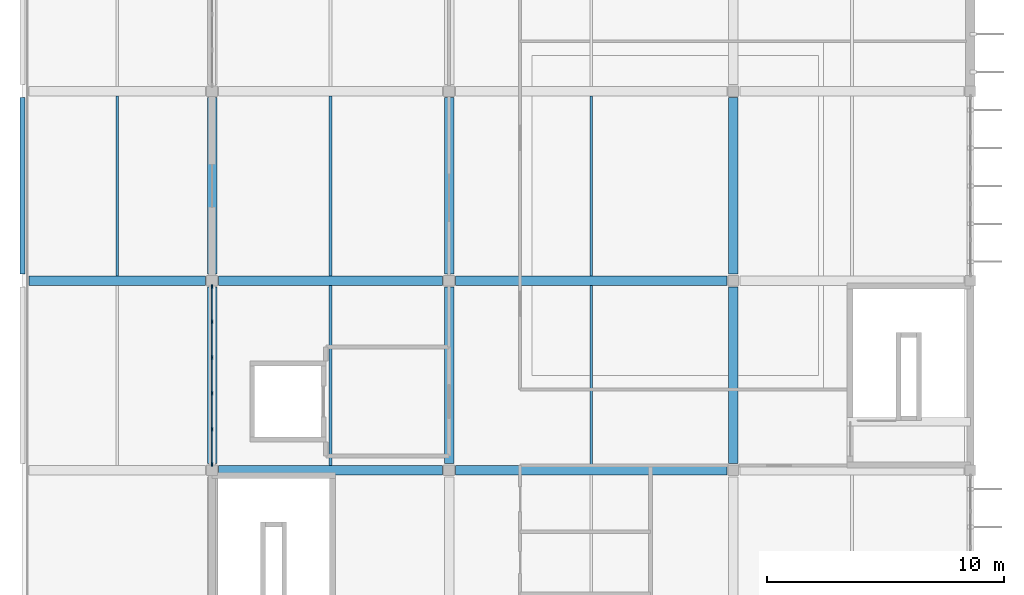
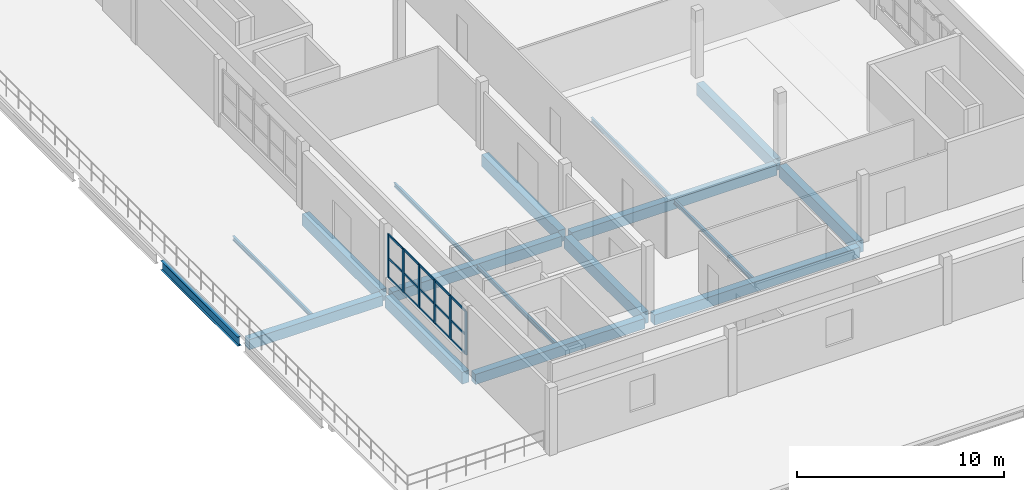
# One storey, part 2 of 12: 21 members, 17 beams, 1 element without a shape of its own.
"""IFC4 building model written with IfcOpenShell, lengths in metres."""

from ifc_helpers import new_model, si_unit, direction, frame, origin, origin_2d, place, context, subcontext, project, spatial, rectangle, i_section, extrude, material, layer, layer_set, material_profile, profile_set, type_object, element, aggregate, save


model = new_model("IFC4")

# Units and contexts
model_context = context("Model", 3, precision=1e-05, world=origin(), true_north=direction((0.0, 1.0)))
body_context = subcontext(model_context, "Body", "Model", "MODEL_VIEW")
ifc_project = project(units=[si_unit("LENGTHUNIT", "METRE"), si_unit("AREAUNIT", "SQUARE_METRE"), si_unit("VOLUMEUNIT", "CUBIC_METRE"), si_unit("PLANEANGLEUNIT", "RADIAN"), si_unit("MASSUNIT", "GRAM", prefix="KILO")], contexts=[model_context])

# Site, building, storey
site_placement = place(None, origin())
site = spatial("IfcSite", under=ifc_project, at=site_placement, CompositionType="ELEMENT")
building_placement = place(site_placement, origin())
building = spatial("IfcBuilding", under=site, at=building_placement, Name="Drelvana Railside Aquatics Centre", CompositionType="ELEMENT")
storey_placement = place(building_placement, frame((0.0, 0.0, 18.60009765625)))
storey = spatial("IfcBuildingStorey", under=building, at=storey_placement, Name="L04", CompositionType="ELEMENT", Elevation=18.60009765625)

# Curtain wall, members
ifc_material_1 = material(Name="Bronze-anodised aluminium curtain wall", Category="aluminium")
ifc_layer = layer(ifc_material_1, 0.175048828125, Name="Bronze-anodised aluminium curtain wall")
ifc_layer_set = layer_set([ifc_layer], Name="Bronze-anodised aluminium curtain wall")
curtain_wall_type = type_object("IfcCurtainWallType", Name="CW-Z6-WING", PredefinedType="NOTDEFINED", material=ifc_layer_set)
curtain_wall_placement = place(storey_placement, origin())
curtain_wall = element("IfcCurtainWall", 1, at=curtain_wall_placement, inside=storey, type_object=curtain_wall_type, Name="Curtain wall CW-06-163", PredefinedType="NOTDEFINED")
ifc_material_2 = material(Name="Bronze-anodised aluminium 6063-T6", Category="aluminium")
ifc_material_profile_1 = material_profile(ifc_material_2, rectangle(XDim=0.06494140625, YDim=0.175048828125, at=origin_2d()), Name="ALU-M 65x175")
ifc_profile_set_1 = profile_set([ifc_material_profile_1], Name="Bronze-anodised aluminium 6063-T6")
member_type_1 = type_object("IfcMemberType", Name="CW-Z6-WING-MUL", PredefinedType="MULLION", material=ifc_profile_set_1)
member_1_placement = place(storey_placement, frame((152.0, 32.25146484375, 0.7939453125), z_axis=(0.0, 0.0, 1.0), x_axis=(-1.0, 0.0, 0.0)))
member_1 = element("IfcMember", 2, at=member_1_placement, type_object=member_type_1, Name="CW-06 mullion 1", PredefinedType="MULLION", context=body_context, shape_type="SweptSolid", body=[
    extrude(rectangle(XDim=0.06494140625, YDim=0.175048828125, at=origin_2d()), origin(), (0.0, 0.0, 1.0), 2.571044921875),
])
member_2_placement = place(storey_placement, frame((152.0, 33.7314453125, 0.7939453125), z_axis=(0.0, 0.0, 1.0), x_axis=(-1.0, 0.0, 0.0)))
member_2 = element("IfcMember", 3, at=member_2_placement, type_object=member_type_1, Name="CW-06 mullion 2", PredefinedType="MULLION", context=body_context, shape_type="SweptSolid", body=[
    extrude(rectangle(XDim=0.06494140625, YDim=0.175048828125, at=origin_2d()), origin(), (0.0, 0.0, 1.0), 2.571044921875),
])
member_3_placement = place(storey_placement, frame((152.0, 35.243896484375, 0.7939453125), z_axis=(0.0, 0.0, 1.0), x_axis=(-1.0, 0.0, 0.0)))
member_3 = element("IfcMember", 4, at=member_3_placement, type_object=member_type_1, Name="CW-06 mullion 3", PredefinedType="MULLION", context=body_context, shape_type="SweptSolid", body=[
    extrude(rectangle(XDim=0.06494140625, YDim=0.175048828125, at=origin_2d()), origin(), (0.0, 0.0, 1.0), 2.571044921875),
])
member_4_placement = place(storey_placement, frame((152.0, 36.756103515625, 0.7939453125), z_axis=(0.0, 0.0, 1.0), x_axis=(-1.0, 0.0, 0.0)))
member_4 = element("IfcMember", 5, at=member_4_placement, type_object=member_type_1, Name="CW-06 mullion 4", PredefinedType="MULLION", context=body_context, shape_type="SweptSolid", body=[
    extrude(rectangle(XDim=0.06494140625, YDim=0.175048828125, at=origin_2d()), origin(), (0.0, 0.0, 1.0), 2.571044921875),
])
member_5_placement = place(storey_placement, frame((152.0, 38.2685546875, 0.7939453125), z_axis=(0.0, 0.0, 1.0), x_axis=(-1.0, 0.0, 0.0)))
member_5 = element("IfcMember", 6, at=member_5_placement, type_object=member_type_1, Name="CW-06 mullion 5", PredefinedType="MULLION", context=body_context, shape_type="SweptSolid", body=[
    extrude(rectangle(XDim=0.06494140625, YDim=0.175048828125, at=origin_2d()), origin(), (0.0, 0.0, 1.0), 2.571044921875),
])
member_6_placement = place(storey_placement, frame((152.0, 39.74853515625, 0.7939453125), z_axis=(0.0, 0.0, 1.0), x_axis=(-1.0, 0.0, 0.0)))
member_6 = element("IfcMember", 7, at=member_6_placement, type_object=member_type_1, Name="CW-06 mullion 6", PredefinedType="MULLION", context=body_context, shape_type="SweptSolid", body=[
    extrude(rectangle(XDim=0.06494140625, YDim=0.175048828125, at=origin_2d()), origin(), (0.0, 0.0, 1.0), 2.571044921875),
])
ifc_material_profile_2 = material_profile(ifc_material_2, rectangle(XDim=0.1201171875, YDim=0.06005859375, at=origin_2d()), Name="ALU-T 60x120")
ifc_profile_set_2 = profile_set([ifc_material_profile_2], Name="Bronze-anodised aluminium 6063-T6")
member_type_2 = type_object("IfcMemberType", Name="CW-Z6-WING-TRN", PredefinedType="USERDEFINED", material=ifc_profile_set_2)
member_7_placement = place(storey_placement, frame((152.0, 32.279052734375, 0.823974609375), z_axis=(0.0, 1.0, 0.0), x_axis=(0.0, 0.0, 1.0)))
member_7 = element("IfcMember", 8, at=member_7_placement, type_object=member_type_2, Name="CW-06 transom 1.1", ObjectType="TRANSOM", PredefinedType="USERDEFINED", context=body_context, shape_type="SweptSolid", body=[
    extrude(rectangle(XDim=0.1201171875, YDim=0.06005859375, at=origin_2d()), origin(), (0.0, 0.0, 1.0), 1.4248046875),
])
member_8_placement = place(storey_placement, frame((152.0, 32.279052734375, 1.950927734375), z_axis=(0.0, 1.0, 0.0), x_axis=(0.0, 0.0, 1.0)))
member_8 = element("IfcMember", 9, at=member_8_placement, type_object=member_type_2, Name="CW-06 transom 1.2", ObjectType="TRANSOM", PredefinedType="USERDEFINED", context=body_context, shape_type="SweptSolid", body=[
    extrude(rectangle(XDim=0.1201171875, YDim=0.06005859375, at=origin_2d()), origin(), (0.0, 0.0, 1.0), 1.4248046875),
])
member_9_placement = place(storey_placement, frame((152.0, 32.279052734375, 3.3349609375), z_axis=(0.0, 1.0, 0.0), x_axis=(0.0, 0.0, 1.0)))
member_9 = element("IfcMember", 10, at=member_9_placement, type_object=member_type_2, Name="CW-06 transom 1.3", ObjectType="TRANSOM", PredefinedType="USERDEFINED", context=body_context, shape_type="SweptSolid", body=[
    extrude(rectangle(XDim=0.1201171875, YDim=0.06005859375, at=origin_2d()), origin(), (0.0, 0.0, 1.0), 1.4248046875),
])
member_10_placement = place(storey_placement, frame((152.0, 33.7587890625, 0.823974609375), z_axis=(0.0, 1.0, 0.0), x_axis=(0.0, 0.0, 1.0)))
member_10 = element("IfcMember", 11, at=member_10_placement, type_object=member_type_2, Name="CW-06 transom 2.1", ObjectType="TRANSOM", PredefinedType="USERDEFINED", context=body_context, shape_type="SweptSolid", body=[
    extrude(rectangle(XDim=0.1201171875, YDim=0.06005859375, at=origin_2d()), origin(), (0.0, 0.0, 1.0), 1.45751953125),
])
member_11_placement = place(storey_placement, frame((152.0, 33.7587890625, 1.950927734375), z_axis=(0.0, 1.0, 0.0), x_axis=(0.0, 0.0, 1.0)))
member_11 = element("IfcMember", 12, at=member_11_placement, type_object=member_type_2, Name="CW-06 transom 2.2", ObjectType="TRANSOM", PredefinedType="USERDEFINED", context=body_context, shape_type="SweptSolid", body=[
    extrude(rectangle(XDim=0.1201171875, YDim=0.06005859375, at=origin_2d()), origin(), (0.0, 0.0, 1.0), 1.45751953125),
])
member_12_placement = place(storey_placement, frame((152.0, 33.7587890625, 3.3349609375), z_axis=(0.0, 1.0, 0.0), x_axis=(0.0, 0.0, 1.0)))
member_12 = element("IfcMember", 13, at=member_12_placement, type_object=member_type_2, Name="CW-06 transom 2.3", ObjectType="TRANSOM", PredefinedType="USERDEFINED", context=body_context, shape_type="SweptSolid", body=[
    extrude(rectangle(XDim=0.1201171875, YDim=0.06005859375, at=origin_2d()), origin(), (0.0, 0.0, 1.0), 1.45751953125),
])
member_13_placement = place(storey_placement, frame((152.0, 35.271240234375, 0.823974609375), z_axis=(0.0, 1.0, 0.0), x_axis=(0.0, 0.0, 1.0)))
member_13 = element("IfcMember", 14, at=member_13_placement, type_object=member_type_2, Name="CW-06 transom 3.1", ObjectType="TRANSOM", PredefinedType="USERDEFINED", context=body_context, shape_type="SweptSolid", body=[
    extrude(rectangle(XDim=0.1201171875, YDim=0.06005859375, at=origin_2d()), origin(), (0.0, 0.0, 1.0), 1.45751953125),
])
member_14_placement = place(storey_placement, frame((152.0, 35.271240234375, 1.950927734375), z_axis=(0.0, 1.0, 0.0), x_axis=(0.0, 0.0, 1.0)))
member_14 = element("IfcMember", 15, at=member_14_placement, type_object=member_type_2, Name="CW-06 transom 3.2", ObjectType="TRANSOM", PredefinedType="USERDEFINED", context=body_context, shape_type="SweptSolid", body=[
    extrude(rectangle(XDim=0.1201171875, YDim=0.06005859375, at=origin_2d()), origin(), (0.0, 0.0, 1.0), 1.45751953125),
])
member_15_placement = place(storey_placement, frame((152.0, 35.271240234375, 3.3349609375), z_axis=(0.0, 1.0, 0.0), x_axis=(0.0, 0.0, 1.0)))
member_15 = element("IfcMember", 16, at=member_15_placement, type_object=member_type_2, Name="CW-06 transom 3.3", ObjectType="TRANSOM", PredefinedType="USERDEFINED", context=body_context, shape_type="SweptSolid", body=[
    extrude(rectangle(XDim=0.1201171875, YDim=0.06005859375, at=origin_2d()), origin(), (0.0, 0.0, 1.0), 1.45751953125),
])
member_16_placement = place(storey_placement, frame((152.0, 36.78369140625, 0.823974609375), z_axis=(0.0, 1.0, 0.0), x_axis=(0.0, 0.0, 1.0)))
member_16 = element("IfcMember", 17, at=member_16_placement, type_object=member_type_2, Name="CW-06 transom 4.1", ObjectType="TRANSOM", PredefinedType="USERDEFINED", context=body_context, shape_type="SweptSolid", body=[
    extrude(rectangle(XDim=0.1201171875, YDim=0.06005859375, at=origin_2d()), origin(), (0.0, 0.0, 1.0), 1.45751953125),
])
member_17_placement = place(storey_placement, frame((152.0, 36.78369140625, 1.950927734375), z_axis=(0.0, 1.0, 0.0), x_axis=(0.0, 0.0, 1.0)))
member_17 = element("IfcMember", 18, at=member_17_placement, type_object=member_type_2, Name="CW-06 transom 4.2", ObjectType="TRANSOM", PredefinedType="USERDEFINED", context=body_context, shape_type="SweptSolid", body=[
    extrude(rectangle(XDim=0.1201171875, YDim=0.06005859375, at=origin_2d()), origin(), (0.0, 0.0, 1.0), 1.45751953125),
])
member_18_placement = place(storey_placement, frame((152.0, 36.78369140625, 3.3349609375), z_axis=(0.0, 1.0, 0.0), x_axis=(0.0, 0.0, 1.0)))
member_18 = element("IfcMember", 19, at=member_18_placement, type_object=member_type_2, Name="CW-06 transom 4.3", ObjectType="TRANSOM", PredefinedType="USERDEFINED", context=body_context, shape_type="SweptSolid", body=[
    extrude(rectangle(XDim=0.1201171875, YDim=0.06005859375, at=origin_2d()), origin(), (0.0, 0.0, 1.0), 1.45751953125),
])
member_19_placement = place(storey_placement, frame((152.0, 38.296142578125, 0.823974609375), z_axis=(0.0, 1.0, 0.0), x_axis=(0.0, 0.0, 1.0)))
member_19 = element("IfcMember", 20, at=member_19_placement, type_object=member_type_2, Name="CW-06 transom 5.1", ObjectType="TRANSOM", PredefinedType="USERDEFINED", context=body_context, shape_type="SweptSolid", body=[
    extrude(rectangle(XDim=0.1201171875, YDim=0.06005859375, at=origin_2d()), origin(), (0.0, 0.0, 1.0), 1.4248046875),
])
member_20_placement = place(storey_placement, frame((152.0, 38.296142578125, 1.950927734375), z_axis=(0.0, 1.0, 0.0), x_axis=(0.0, 0.0, 1.0)))
member_20 = element("IfcMember", 21, at=member_20_placement, type_object=member_type_2, Name="CW-06 transom 5.2", ObjectType="TRANSOM", PredefinedType="USERDEFINED", context=body_context, shape_type="SweptSolid", body=[
    extrude(rectangle(XDim=0.1201171875, YDim=0.06005859375, at=origin_2d()), origin(), (0.0, 0.0, 1.0), 1.4248046875),
])
member_21_placement = place(storey_placement, frame((152.0, 38.296142578125, 3.3349609375), z_axis=(0.0, 1.0, 0.0), x_axis=(0.0, 0.0, 1.0)))
member_21 = element("IfcMember", 22, at=member_21_placement, type_object=member_type_2, Name="CW-06 transom 5.3", ObjectType="TRANSOM", PredefinedType="USERDEFINED", context=body_context, shape_type="SweptSolid", body=[
    extrude(rectangle(XDim=0.1201171875, YDim=0.06005859375, at=origin_2d()), origin(), (0.0, 0.0, 1.0), 1.4248046875),
])
aggregate(curtain_wall, [member_1, member_2, member_3, member_4, member_5, member_6, member_7, member_8, member_9, member_10, member_11, member_12, member_13, member_14, member_15, member_16, member_17, member_18, member_19, member_20, member_21])

# Beams
ifc_material_3 = material(Name="Concrete C40/50", Category="concrete")
ifc_material_profile_3 = material_profile(ifc_material_3, rectangle(XDim=0.39990234375, YDim=0.60009765625, at=origin_2d()), Name="RC 400x600")
ifc_profile_set_3 = profile_set([ifc_material_profile_3], Name="Concrete C40/50")
beam_type_1 = type_object("IfcBeamType", Name="STR-BM-BM-02-RC-400x600", PredefinedType="BEAM", material=ifc_profile_set_3)
beam_1_placement = place(storey_placement, frame((152.27490234375, 32.0, -0.525146484375), z_axis=(1.0, 0.0, 0.0), x_axis=(0.0, 1.0, 0.0)))
element("IfcBeam", 23, at=beam_1_placement, inside=storey, type_object=beam_type_1, Name="Girder BM-02 (L04)", PredefinedType="BEAM", context=body_context, shape_type="SweptSolid", body=[
    extrude(rectangle(XDim=0.39990234375, YDim=0.60009765625, at=origin_2d()), origin(), (0.0, 0.0, 1.0), 9.4501953125),
])
beam_2_placement = place(storey_placement, frame((162.27490234375, 32.0, -0.525146484375), z_axis=(1.0, 0.0, 0.0), x_axis=(0.0, 1.0, 0.0)))
element("IfcBeam", 24, at=beam_2_placement, inside=storey, type_object=beam_type_1, Name="Girder BM-02 (L04)", PredefinedType="BEAM", context=body_context, shape_type="SweptSolid", body=[
    extrude(rectangle(XDim=0.39990234375, YDim=0.60009765625, at=origin_2d()), origin(), (0.0, 0.0, 1.0), 11.4501953125),
])
beam_3_placement = place(storey_placement, frame((144.27490234375, 40.0, -0.525146484375), z_axis=(1.0, 0.0, 0.0), x_axis=(0.0, 1.0, 0.0)))
element("IfcBeam", 25, at=beam_3_placement, inside=storey, type_object=beam_type_1, Name="Girder BM-02 (L04)", PredefinedType="BEAM", context=body_context, shape_type="SweptSolid", body=[
    extrude(rectangle(XDim=0.39990234375, YDim=0.60009765625, at=origin_2d()), origin(), (0.0, 0.0, 1.0), 7.4501953125),
])
beam_4_placement = place(storey_placement, frame((152.27490234375, 40.0, -0.525146484375), z_axis=(1.0, 0.0, 0.0), x_axis=(0.0, 1.0, 0.0)))
element("IfcBeam", 26, at=beam_4_placement, inside=storey, type_object=beam_type_1, Name="Girder BM-02 (L04)", PredefinedType="BEAM", context=body_context, shape_type="SweptSolid", body=[
    extrude(rectangle(XDim=0.39990234375, YDim=0.60009765625, at=origin_2d()), origin(), (0.0, 0.0, 1.0), 9.4501953125),
])
beam_5_placement = place(storey_placement, frame((162.27490234375, 40.0, -0.525146484375), z_axis=(1.0, 0.0, 0.0), x_axis=(0.0, 1.0, 0.0)))
element("IfcBeam", 27, at=beam_5_placement, inside=storey, type_object=beam_type_1, Name="Girder BM-02 (L04)", PredefinedType="BEAM", context=body_context, shape_type="SweptSolid", body=[
    extrude(rectangle(XDim=0.39990234375, YDim=0.60009765625, at=origin_2d()), origin(), (0.0, 0.0, 1.0), 11.4501953125),
])
ifc_material_profile_4 = material_profile(ifc_material_3, rectangle(XDim=0.39990234375, YDim=0.699951171875, at=origin_2d()), Name="RC 400x700")
ifc_profile_set_4 = profile_set([ifc_material_profile_4], Name="Concrete C40/50")
beam_type_2 = type_object("IfcBeamType", Name="STR-BM-BM-03-RC-400x700", PredefinedType="BEAM", material=ifc_profile_set_4)
for number, where, z_axis, x_axis, name in (
    (28, (152.0, 32.27490234375, -0.5751953125), (0.0, 1.0, 0.0), (-1.0, 0.0, 0.0), "Girder BM-03 (L04)"),
    (29, (152.0, 40.27490234375, -0.5751953125), (0.0, 1.0, 0.0), (-1.0, 0.0, 0.0), "Girder BM-03 (L04)"),
    (30, (162.0, 32.27490234375, -0.5751953125), (0.0, 1.0, 0.0), (-1.0, 0.0, 0.0), "Girder BM-03 (L04)"),
    (31, (162.0, 40.27490234375, -0.5751953125), (0.0, 1.0, 0.0), (-1.0, 0.0, 0.0), "Girder BM-03 (L04)"),
    (32, (174.0, 32.27490234375, -0.5751953125), (0.0, 1.0, 0.0), (-1.0, 0.0, 0.0), "Girder BM-03 (L04)"),
    (33, (174.0, 40.27490234375, -0.5751953125), (0.0, 1.0, 0.0), (-1.0, 0.0, 0.0), "Girder BM-03 (L04)"),
):
    element("IfcBeam", number, at=place(storey_placement, frame(where, z_axis=z_axis, x_axis=x_axis)), inside=storey, type_object=beam_type_2, Name=name, PredefinedType="BEAM", context=body_context, shape_type="SweptSolid", body=[
        extrude(rectangle(XDim=0.39990234375, YDim=0.699951171875, at=origin_2d()), origin(), (0.0, 0.0, 1.0), 7.4501953125),
    ])
ifc_material_4 = material(Name="Structural steel S355", Category="steel")
ifc_material_profile_5 = material_profile(ifc_material_4, i_section(OverallWidth=0.2099609375, OverallDepth=0.550048828125, WebThickness=0.010986328125, FlangeThickness=0.01708984375, at=origin_2d()), Name="IPE 550")
ifc_profile_set_5 = profile_set([ifc_material_profile_5], Name="Structural steel S355")
beam_type_3 = type_object("IfcBeamType", Name="STR-SBM-SB-04-IPE-550", PredefinedType="SPANDREL", material=ifc_profile_set_5)
beam_6_placement = place(storey_placement, frame((144.0, 40.27490234375, -0.5), z_axis=(0.0, 1.0, 0.0), x_axis=(-1.0, 0.0, 0.0)))
element("IfcBeam", 34, at=beam_6_placement, inside=storey, type_object=beam_type_3, Name="Girder SB-04 (L04)", PredefinedType="SPANDREL", context=body_context, shape_type="SweptSolid", body=[
    extrude(i_section(OverallWidth=0.2099609375, OverallDepth=0.550048828125, WebThickness=0.010986328125, FlangeThickness=0.01708984375, at=origin_2d()), origin(), (0.0, 0.0, 1.0), 7.4501953125),
])
ifc_material_profile_6 = material_profile(ifc_material_4, i_section(OverallWidth=0.1201171875, OverallDepth=0.239990234375, WebThickness=0.006103515625, FlangeThickness=0.009765625, at=origin_2d()), Name="IPE 240")
ifc_profile_set_6 = profile_set([ifc_material_profile_6], Name="Structural steel S355")
beam_type_4 = type_object("IfcBeamType", Name="STR-SBM-SJ-01-IPE-240", PredefinedType="JOIST", material=ifc_profile_set_6)
for number, where, z_axis, x_axis, name in (
    (35, (148.0, 40.199951171875, -0.34521484375), (0.0, 1.0, 0.0), (-1.0, 0.0, 0.0), "Secondary floor joist SJ-01 (L04)"),
    (36, (157.0, 32.199951171875, -0.34521484375), (0.0, 1.0, 0.0), (-1.0, 0.0, 0.0), "Secondary floor joist SJ-01 (L04)"),
    (37, (157.0, 40.199951171875, -0.34521484375), (0.0, 1.0, 0.0), (-1.0, 0.0, 0.0), "Secondary floor joist SJ-01 (L04)"),
    (38, (168.0, 32.199951171875, -0.34521484375), (0.0, 1.0, 0.0), (-1.0, 0.0, 0.0), "Secondary floor joist SJ-01 (L04)"),
    (39, (168.0, 40.199951171875, -0.34521484375), (0.0, 1.0, 0.0), (-1.0, 0.0, 0.0), "Secondary floor joist SJ-01 (L04)"),
):
    element("IfcBeam", number, at=place(storey_placement, frame(where, z_axis=z_axis, x_axis=x_axis)), inside=storey, type_object=beam_type_4, Name=name, PredefinedType="JOIST", context=body_context, shape_type="SweptSolid", body=[
        extrude(i_section(OverallWidth=0.1201171875, OverallDepth=0.239990234375, WebThickness=0.006103515625, FlangeThickness=0.009765625, at=origin_2d()), origin(), (0.0, 0.0, 1.0), 7.60009765625),
    ])

save(model, "model.ifc")
